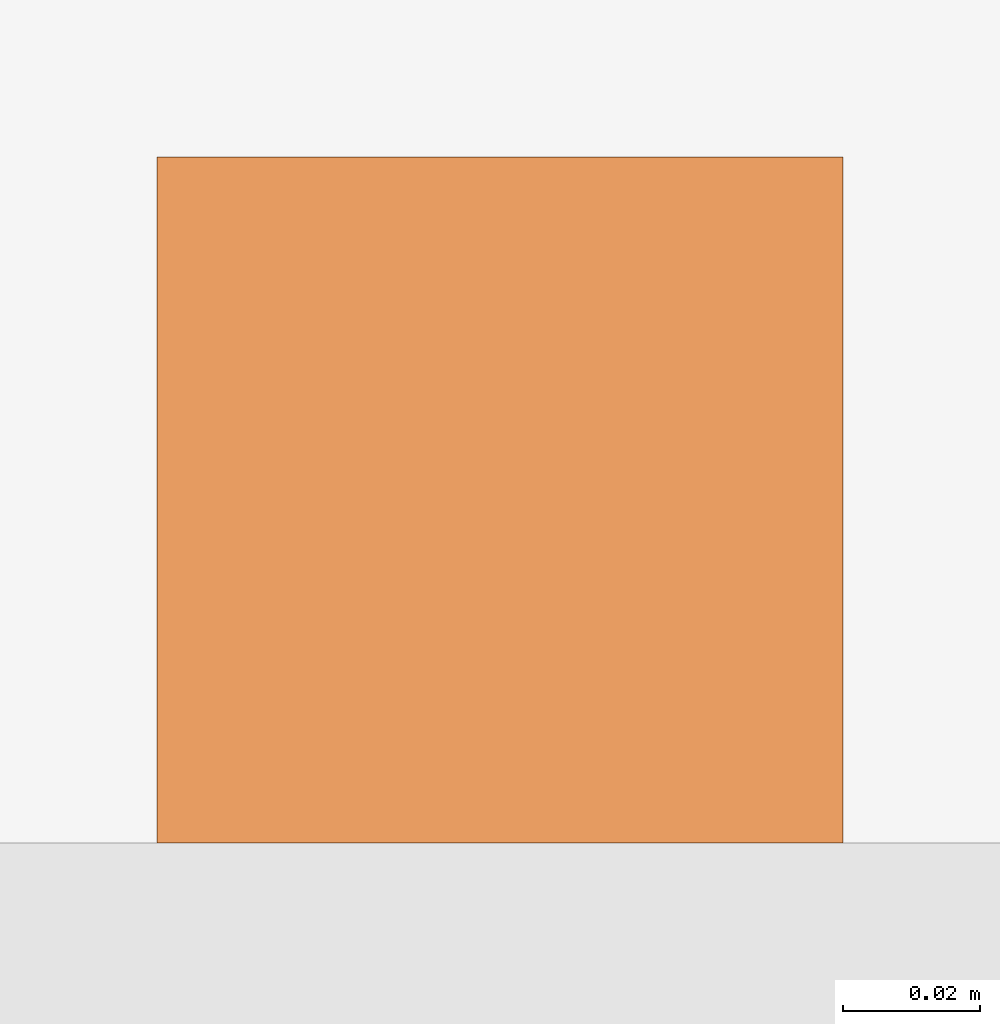
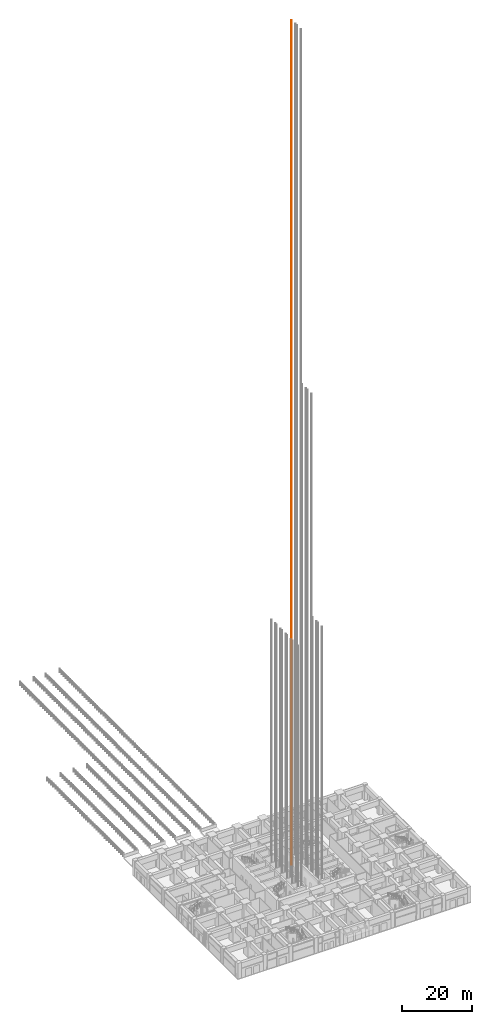
# One storey, part 81 of 81: 1 proxy.
"""IFC4 building model written with IfcOpenShell, lengths in metres."""

from ifc_helpers import new_model, si_unit, direction, frame, origin, origin_2d, place, context, subcontext, project, spatial, rectangle, extrude, material, type_object, element, save


model = new_model("IFC4")

# Units and contexts
model_context = context("Model", 3, precision=1e-05, world=origin(), true_north=direction((0.0, 1.0)))
body_context = subcontext(model_context, "Body", "Model", "MODEL_VIEW")
ifc_project = project(units=[si_unit("LENGTHUNIT", "METRE"), si_unit("AREAUNIT", "SQUARE_METRE"), si_unit("VOLUMEUNIT", "CUBIC_METRE"), si_unit("PLANEANGLEUNIT", "RADIAN"), si_unit("MASSUNIT", "GRAM", prefix="KILO")], contexts=[model_context])

# Site, building, storey
site_placement = place(None, origin())
site = spatial("IfcSite", under=ifc_project, at=site_placement, CompositionType="ELEMENT")
building_placement = place(site_placement, origin())
building = spatial("IfcBuilding", under=site, at=building_placement, Name="Rekha Terrace Tower", CompositionType="ELEMENT")
storey_placement = place(building_placement, origin())
storey = spatial("IfcBuildingStorey", under=building, at=storey_placement, Name="L00", CompositionType="ELEMENT", Elevation=0.0)

# Proxy
ifc_material = material(Name="Steel guide rail", Category="steel")
building_element_proxy_type = type_object("IfcBuildingElementProxyType", Name="LR1 100 lift guide rail", PredefinedType="ELEMENT", material=ifc_material)
proxy_placement = place(storey_placement, frame((41.14990234375, 41.0, 0.0), z_axis=(0.0, 0.0, 1.0), x_axis=(1.0, 0.0, 0.0)))
element("IfcBuildingElementProxy", 1, at=proxy_placement, inside=storey, type_object=building_element_proxy_type, Name="Lift SH6 guide rail 2", PredefinedType="ELEMENT", context=body_context, shape_type="SweptSolid", body=[
    extrude(rectangle(XDim=0.10009765625, YDim=0.10009765625, at=origin_2d()), origin(), (0.0, 0.0, 1.0), 293.75),
])

save(model, "model.ifc")
